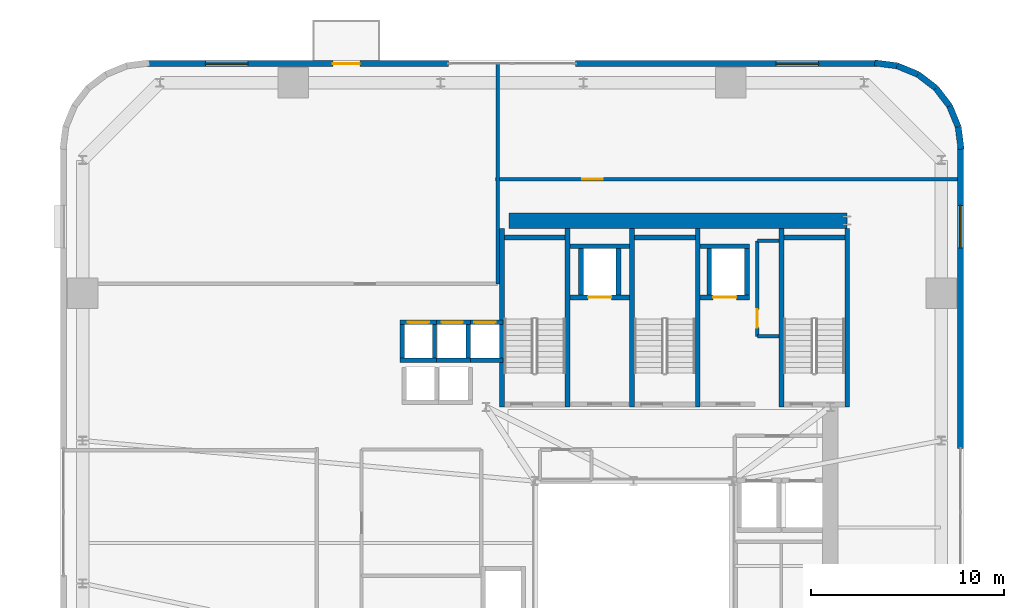
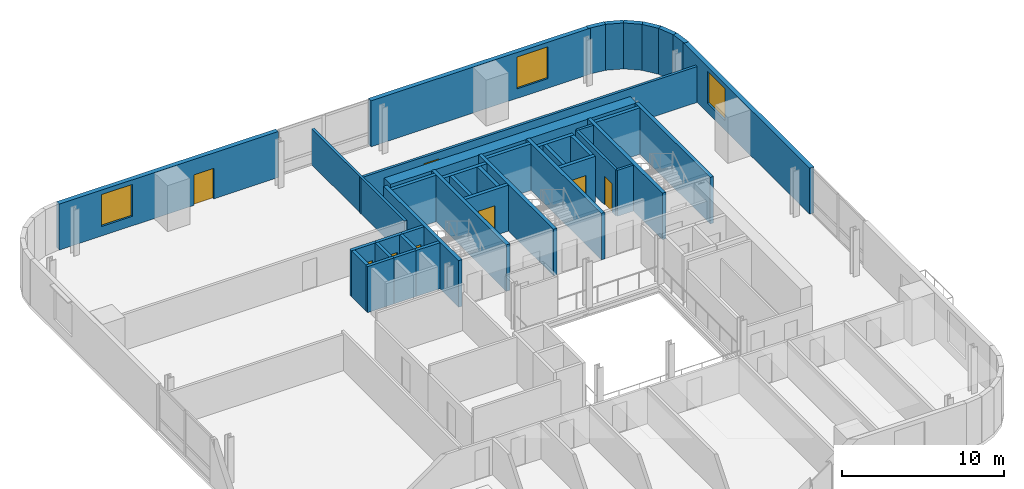
# One storey, part 8 of 14: 41 walls, 8 doors, 3 windows, 11 openings.
"""IFC4 building model written with IfcOpenShell, lengths in metres."""

from ifc_helpers import new_model, si_unit, direction, frame, frame_2d, origin, place, context, subcontext, project, spatial, rectangle, extrude, source, transform, mapped, material, layer, layer_set, type_object, element, fill, save


model = new_model("IFC4")

# Units and contexts
model_context = context("Model", 3, precision=1e-05, world=origin(), true_north=direction((0.0, 1.0)))
body_context = subcontext(model_context, "Body", "Model", "MODEL_VIEW")
ifc_project = project(units=[si_unit("LENGTHUNIT", "METRE"), si_unit("AREAUNIT", "SQUARE_METRE"), si_unit("VOLUMEUNIT", "CUBIC_METRE"), si_unit("PLANEANGLEUNIT", "RADIAN"), si_unit("MASSUNIT", "GRAM", prefix="KILO")], contexts=[model_context])

# Site, building, storey
site_placement = place(None, origin())
site = spatial("IfcSite", under=ifc_project, at=site_placement, CompositionType="ELEMENT")
building_placement = place(site_placement, origin())
building = spatial("IfcBuilding", under=site, at=building_placement, Name="Vardaveli Station Tower", CompositionType="ELEMENT")
storey_placement = place(building_placement, frame((0.0, 0.0, 122.39990234375)))
storey = spatial("IfcBuildingStorey", under=building, at=storey_placement, Name="L31", CompositionType="ELEMENT", Elevation=122.39990234375)

# Wall
ifc_material_1 = material(Name="Concrete C50/60", Category="concrete")
ifc_layer_1 = layer(ifc_material_1, 0.800048828125, Name="Concrete C50/60")
ifc_layer_set_1 = layer_set([ifc_layer_1], Name="Concrete C50/60")
wall_type_1 = type_object("IfcWallType", Name="WAL-CORE-800", PredefinedType="SHEAR", material=ifc_layer_set_1)
shared_shape_1 = source(origin(), body_context, "Body", "SweptSolid", [
    extrude(rectangle(XDim=17.52001953125, YDim=0.800048828125, at=frame_2d((8.760009765625, 0.0))), origin(), (0.0, 0.0, 1.0), 3.460205078125),
])
wall_1_placement = place(storey_placement, frame((29.85009765625, 40.300048828125, 0.0), z_axis=(0.0, 0.0, 1.0), x_axis=(1.0, 0.0, 0.0)))
element("IfcWall", 1, at=wall_1_placement, inside=storey, type_object=wall_type_1, Name="SW-L31-NORTH", PredefinedType="SHEAR", context=body_context, shape_type="MappedRepresentation", body=[
    mapped(shared_shape_1, transform((0.0, 0.0, 0.0), scale=1.0)),
])

# Wall, opening, window
ifc_material_2 = material(Name="Precast concrete C45/55", Category="concrete")
ifc_layer_2 = layer(ifc_material_2, 0.320068359375, Name="Precast concrete C45/55")
ifc_layer_set_2 = layer_set([ifc_layer_2], Name="Precast concrete C45/55")
wall_type_2 = type_object("IfcWallType", Name="WAL-EXT-STONE-320", PredefinedType="SOLIDWALL", material=ifc_layer_set_2)
shared_shape_2 = source(origin(), body_context, "Body", "SweptSolid", [
    extrude(rectangle(XDim=15.599853515625, YDim=0.320068359375, at=frame_2d((7.7998046875, 0.0))), origin(), (0.0, 0.0, 1.0), 3.460205078125),
])
wall_2_placement = place(storey_placement, frame((48.89990234375, 48.43994140625, 0.0), z_axis=(0.0, 0.0, 1.0), x_axis=(-1.0, 0.0, 0.0)))
wall_2 = element("IfcWall", 2, at=wall_2_placement, inside=storey, type_object=wall_type_2, Name="EW-L31-N1", PredefinedType="SOLIDWALL", context=body_context, shape_type="MappedRepresentation", body=[
    mapped(shared_shape_2, transform((0.0, 0.0, 0.0), scale=1.0)),
])
shared_shape_3 = source(origin(), body_context, "Body", "SweptSolid", [
    extrude(rectangle(XDim=2.199951171875, YDim=2.39990234375, at=frame_2d((1.10009765625, 1.199951171875))), frame((0.0, 0.169921875, 0.0), z_axis=(0.0, -1.0, 0.0), x_axis=(1.0, 0.0, 0.0)), (0.0, 0.0, 1.0), 0.340087890625),
])
opening_1_placement = place(wall_2_placement, frame((3.0048828125, 0.0, 0.719970703125)))
opening_1 = element("IfcOpeningElement", 3, at=opening_1_placement, cuts=wall_2, Name="Opening W-03", PredefinedType="OPENING", context=body_context, shape_type="MappedRepresentation", body=[
    mapped(shared_shape_3, transform((0.0, 0.0, 0.0), scale=1.0)),
])
ifc_material_3 = material(Name="Low-E solar-control glass", Category="glass")
window_type = type_object("IfcWindowType", Name="WIN-LOG-2200x2400", PartitioningType="SINGLE_PANEL", PredefinedType="WINDOW", material=ifc_material_3)
shared_shape_4 = source(origin(), body_context, "Body", "SweptSolid", [
    extrude(rectangle(XDim=2.199951171875, YDim=2.39990234375, at=frame_2d((1.10009765625, 1.199951171875))), frame((0.0, 0.030029296875, 0.0), z_axis=(0.0, -1.0, 0.0), x_axis=(1.0, 0.0, 0.0)), (0.0, 0.0, 1.0), 0.06005859375),
])
window_1_placement = place(opening_1_placement, origin())
window_1 = element("IfcWindow", 4, at=window_1_placement, inside=storey, type_object=window_type, Name="WN-L31-N1", OverallHeight=2.39990234375, OverallWidth=2.199951171875, PartitioningType="SINGLE_PANEL", PredefinedType="WINDOW", context=body_context, shape_type="MappedRepresentation", body=[
    mapped(shared_shape_4, transform((0.0, 0.0, 0.0), scale=1.0)),
])
fill(opening_1, window_1)

# Wall, openings, door, window
wall_3_placement = place(storey_placement, frame((26.699951171875, 48.43994140625, 0.0), z_axis=(0.0, 0.0, 1.0), x_axis=(-1.0, 0.0, 0.0)))
wall_3 = element("IfcWall", 5, at=wall_3_placement, inside=storey, type_object=wall_type_2, Name="EW-L31-N2", PredefinedType="SOLIDWALL", context=body_context, shape_type="MappedRepresentation", body=[
    mapped(shared_shape_2, transform((0.0, 0.0, 0.0), scale=1.0)),
])
shared_shape_5 = source(origin(), body_context, "Body", "SweptSolid", [
    extrude(rectangle(XDim=1.39990234375, YDim=2.300048828125, at=frame_2d((0.699951171875, 1.14990234375))), frame((0.0, 0.169921875, 0.0), z_axis=(0.0, -1.0, 0.0), x_axis=(1.0, 0.0, 0.0)), (0.0, 0.0, 1.0), 0.340087890625),
])
opening_2_placement = place(wall_3_placement, frame((4.589599609375, 0.0, 0.0)))
opening_2 = element("IfcOpeningElement", 6, at=opening_2_placement, cuts=wall_3, Name="Opening D-09", PredefinedType="OPENING", context=body_context, shape_type="MappedRepresentation", body=[
    mapped(shared_shape_5, transform((0.0, 0.0, 0.0), scale=1.0)),
])
opening_3_placement = place(wall_3_placement, frame((10.39501953125, 0.0, 0.719970703125)))
opening_3 = element("IfcOpeningElement", 7, at=opening_3_placement, cuts=wall_3, Name="Opening W-03", PredefinedType="OPENING", context=body_context, shape_type="MappedRepresentation", body=[
    mapped(shared_shape_3, transform((0.0, 0.0, 0.0), scale=1.0)),
])
ifc_material_4 = material(Name="Thermally broken aluminium glass", Category="aluminium")
door_type_1 = type_object("IfcDoorType", Name="DR-LOG-1400x2300", OperationType="DOUBLE_DOOR_SLIDING", PredefinedType="DOOR", material=ifc_material_4)
shared_shape_6 = source(origin(), body_context, "Body", "SweptSolid", [
    extrude(rectangle(XDim=1.39990234375, YDim=2.300048828125, at=frame_2d((0.699951171875, 1.14990234375))), frame((0.0, 0.02490234375, 0.0), z_axis=(0.0, -1.0, 0.0), x_axis=(1.0, 0.0, 0.0)), (0.0, 0.0, 1.0), 0.050048828125),
])
door_1_placement = place(opening_2_placement, frame((1.39990234375, 0.0, 0.0), z_axis=(0.0, 0.0, 1.0), x_axis=(-1.0, 0.0, 0.0)))
door_1 = element("IfcDoor", 8, at=door_1_placement, inside=storey, type_object=door_type_1, Name="DLG-L31-N", OperationType="DOUBLE_DOOR_SLIDING", OverallHeight=2.300048828125, OverallWidth=1.39990234375, PredefinedType="DOOR", context=body_context, shape_type="MappedRepresentation", body=[
    mapped(shared_shape_6, transform((0.0, 0.0, 0.0), scale=1.0)),
])
fill(opening_2, door_1)
window_2_placement = place(opening_3_placement, origin())
window_2 = element("IfcWindow", 9, at=window_2_placement, inside=storey, type_object=window_type, Name="WN-L31-N2", OverallHeight=2.39990234375, OverallWidth=2.199951171875, PartitioningType="SINGLE_PANEL", PredefinedType="WINDOW", context=body_context, shape_type="MappedRepresentation", body=[
    mapped(shared_shape_4, transform((0.0, 0.0, 0.0), scale=1.0)),
])
fill(opening_3, window_2)

# Wall, opening, window
shared_shape_7 = source(origin(), body_context, "Body", "SweptSolid", [
    extrude(rectangle(XDim=15.60009765625, YDim=0.320068359375, at=frame_2d((7.800048828125, 0.0))), origin(), (0.0, 0.0, 1.0), 3.460205078125),
])
wall_4_placement = place(storey_placement, frame((53.239990234375, 28.5, 0.0), z_axis=(0.0, 0.0, 1.0), x_axis=(0.0, 1.0, 0.0)))
wall_4 = element("IfcWall", 10, at=wall_4_placement, inside=storey, type_object=wall_type_2, Name="EW-L31-E2", PredefinedType="SOLIDWALL", context=body_context, shape_type="MappedRepresentation", body=[
    mapped(shared_shape_7, transform((0.0, 0.0, 0.0), scale=1.0)),
])
opening_4_placement = place(wall_4_placement, frame((10.39501953125, 0.0, 0.719970703125)))
opening_4 = element("IfcOpeningElement", 11, at=opening_4_placement, cuts=wall_4, Name="Opening W-03", PredefinedType="OPENING", context=body_context, shape_type="MappedRepresentation", body=[
    mapped(shared_shape_3, transform((0.0, 0.0, 0.0), scale=1.0)),
])
window_3_placement = place(opening_4_placement, origin())
window_3 = element("IfcWindow", 12, at=window_3_placement, inside=storey, type_object=window_type, Name="WN-L31-E2", OverallHeight=2.39990234375, OverallWidth=2.199951171875, PartitioningType="SINGLE_PANEL", PredefinedType="WINDOW", context=body_context, shape_type="MappedRepresentation", body=[
    mapped(shared_shape_4, transform((0.0, 0.0, 0.0), scale=1.0)),
])
fill(opening_4, window_3)

# Walls
shared_shape_8 = source(origin(), body_context, "Body", "SweptSolid", [
    extrude(rectangle(XDim=1.1689453125, YDim=0.320068359375, at=frame_2d((0.58447265625, 0.0))), origin(), (0.0, 0.0, 1.0), 3.460205078125),
])
wall_5_placement = place(storey_placement, frame((52.679931640625, 46.2412109375, 0.0), z_axis=(0.0, 0.0, 1.0), x_axis=(-0.608387696831, 0.793639975269, 0.0)))
element("IfcWall", 13, at=wall_5_placement, inside=storey, type_object=wall_type_2, Name="EW-L31-CR3-3", PredefinedType="SOLIDWALL", context=body_context, shape_type="MappedRepresentation", body=[
    mapped(shared_shape_8, transform((0.0, 0.0, 0.0), scale=1.0)),
])
shared_shape_9 = source(origin(), body_context, "Body", "SweptSolid", [
    extrude(rectangle(XDim=1.168701171875, YDim=0.320068359375, at=frame_2d((0.58447265625, 0.0))), origin(), (0.0, 0.0, 1.0), 3.460205078125),
])
wall_6_placement = place(storey_placement, frame((51.96875, 47.1689453125, 0.0), z_axis=(0.0, 0.0, 1.0), x_axis=(-0.793663520347, 0.608356981114, 0.0)))
element("IfcWall", 14, at=wall_6_placement, inside=storey, type_object=wall_type_2, Name="EW-L31-CR3-4", PredefinedType="SOLIDWALL", context=body_context, shape_type="MappedRepresentation", body=[
    mapped(shared_shape_9, transform((0.0, 0.0, 0.0), scale=1.0)),
])
shared_shape_10 = source(origin(), body_context, "Body", "SweptSolid", [
    extrude(rectangle(XDim=1.17041015625, YDim=0.320068359375, at=frame_2d((0.585205078125, 0.0))), origin(), (0.0, 0.0, 1.0), 3.460205078125),
])
for number, where, z_axis, x_axis, name in (
    (15, (53.275634765625, 43.99951171875, 0.0), (0.0, 0.0, 1.0), (-0.128295670475, 0.991735963317, 0.0), "EW-L31-CR3-1"),
    (16, (49.960205078125, 48.325439453125, 0.0), (0.0, 0.0, 1.0), (-0.991735963317, 0.128295670475, 0.0), "EW-L31-CR3-6"),
):
    element("IfcWall", number, at=place(storey_placement, frame(where, z_axis=z_axis, x_axis=x_axis)), inside=storey, type_object=wall_type_2, Name=name, PredefinedType="SOLIDWALL", context=body_context, shape_type="MappedRepresentation", body=[
        mapped(shared_shape_10, transform((0.0, 0.0, 0.0), scale=1.0)),
    ])
shared_shape_11 = source(origin(), body_context, "Body", "SweptSolid", [
    extrude(rectangle(XDim=1.169189453125, YDim=0.320068359375, at=frame_2d((0.58447265625, 0.0))), origin(), (0.0, 0.0, 1.0), 3.460205078125),
])
for number, where, z_axis, x_axis, name in (
    (17, (53.12548828125, 45.16015625, 0.0), (0.0, 0.0, 1.0), (-0.381054331552, 0.924552646638, 0.0), "EW-L31-CR3-2"),
    (18, (51.041259765625, 47.8798828125, 0.0), (0.0, 0.0, 1.0), (-0.924552646638, 0.381054331552, 0.0), "EW-L31-CR3-5"),
):
    element("IfcWall", number, at=place(storey_placement, frame(where, z_axis=z_axis, x_axis=x_axis)), inside=storey, type_object=wall_type_2, Name=name, PredefinedType="SOLIDWALL", context=body_context, shape_type="MappedRepresentation", body=[
        mapped(shared_shape_11, transform((0.0, 0.0, 0.0), scale=1.0)),
    ])
ifc_material_5 = material(Name="Concrete C40/50", Category="concrete")
ifc_layer_3 = layer(ifc_material_5, 0.25, Name="Concrete C40/50")
ifc_layer_set_3 = layer_set([ifc_layer_3], Name="Concrete C40/50")
wall_type_3 = type_object("IfcWallType", Name="WAL-SHAFT-250", PredefinedType="SOLIDWALL", material=ifc_layer_set_3)
shared_shape_12 = source(origin(), body_context, "Body", "SweptSolid", [
    extrude(rectangle(XDim=9.25, YDim=0.25, at=frame_2d((4.625, 0.0))), origin(), (0.0, 0.0, 1.0), 3.5),
])
for number, where, z_axis, x_axis, name in (
    (19, (29.47509765625, 30.64990234375, 0.0), (0.0, 0.0, 1.0), (0.0, 1.0, 0.0), "W-L31-ST-1W"),
    (20, (32.875, 30.64990234375, 0.0), (0.0, 0.0, 1.0), (0.0, 1.0, 0.0), "W-L31-ST-1E"),
    (21, (36.22509765625, 30.64990234375, 0.0), (0.0, 0.0, 1.0), (0.0, 1.0, 0.0), "W-L31-ST-2W"),
    (22, (39.625, 30.64990234375, 0.0), (0.0, 0.0, 1.0), (0.0, 1.0, 0.0), "W-L31-ST-2E"),
    (23, (43.97509765625, 30.64990234375, 0.0), (0.0, 0.0, 1.0), (0.0, 1.0, 0.0), "W-L31-ST-3W"),
    (24, (47.375, 30.64990234375, 0.0), (0.0, 0.0, 1.0), (0.0, 1.0, 0.0), "W-L31-ST-3E"),
):
    element("IfcWall", number, at=place(storey_placement, frame(where, z_axis=z_axis, x_axis=x_axis)), inside=storey, type_object=wall_type_3, Name=name, PredefinedType="SOLIDWALL", context=body_context, shape_type="MappedRepresentation", body=[
        mapped(shared_shape_12, transform((0.0, 0.0, 0.0), scale=1.0)),
    ])
shared_shape_13 = source(origin(), body_context, "Body", "SweptSolid", [
    extrude(rectangle(XDim=3.14990234375, YDim=0.25, at=frame_2d((1.574951171875, 0.0))), origin(), (0.0, 0.0, 1.0), 3.5),
])
for number, where, z_axis, x_axis, name in (
    (25, (29.60009765625, 39.425048828125, 0.0), (0.0, 0.0, 1.0), (1.0, 0.0, 0.0), "W-L31-ST-1N"),
    (26, (36.35009765625, 39.425048828125, 0.0), (0.0, 0.0, 1.0), (1.0, 0.0, 0.0), "W-L31-ST-2N"),
    (27, (44.10009765625, 39.425048828125, 0.0), (0.0, 0.0, 1.0), (1.0, 0.0, 0.0), "W-L31-ST-3N"),
):
    element("IfcWall", number, at=place(storey_placement, frame(where, z_axis=z_axis, x_axis=x_axis)), inside=storey, type_object=wall_type_3, Name=name, PredefinedType="SOLIDWALL", context=body_context, shape_type="MappedRepresentation", body=[
        mapped(shared_shape_13, transform((0.0, 0.0, 0.0), scale=1.0)),
    ])
ifc_layer_4 = layer(ifc_material_5, 0.219970703125, Name="Concrete C40/50")
ifc_layer_set_4 = layer_set([ifc_layer_4], Name="Concrete C40/50")
wall_type_4 = type_object("IfcWallType", Name="WAL-FFLOBBY-220", PredefinedType="SOLIDWALL", material=ifc_layer_set_4)
shared_shape_14 = source(origin(), body_context, "Body", "SweptSolid", [
    extrude(rectangle(XDim=1.889892578125, YDim=0.219970703125, at=frame_2d((0.94482421875, 0.0))), origin(), (0.0, 0.0, 1.0), 3.460205078125),
])
wall_7_placement = place(storey_placement, frame((24.205078125, 33.06494140625, 0.0), z_axis=(0.0, 0.0, 1.0), x_axis=(1.0, 0.0, 0.0)))
element("IfcWall", 28, at=wall_7_placement, inside=storey, type_object=wall_type_4, Name="SHW-HL2-01-L31-S", PredefinedType="SOLIDWALL", context=body_context, shape_type="MappedRepresentation", body=[
    mapped(shared_shape_14, transform((0.0, 0.0, 0.0), scale=1.0)),
])

# Wall, opening, door
wall_8_placement = place(storey_placement, frame((24.205078125, 35.034912109375, 0.0), z_axis=(0.0, 0.0, 1.0), x_axis=(1.0, 0.0, 0.0)))
wall_8 = element("IfcWall", 29, at=wall_8_placement, inside=storey, type_object=wall_type_4, Name="SHW-HL2-01-L31-N", PredefinedType="SOLIDWALL", context=body_context, shape_type="MappedRepresentation", body=[
    mapped(shared_shape_14, transform((0.0, 0.0, 0.0), scale=1.0)),
])
shared_shape_15 = source(origin(), body_context, "Body", "SweptSolid", [
    extrude(rectangle(XDim=1.10009765625, YDim=2.199951171875, at=frame_2d((0.550048828125, 1.10009765625))), frame((0.0, 0.1201171875, 0.0), z_axis=(0.0, -1.0, 0.0), x_axis=(1.0, 0.0, 0.0)), (0.0, 0.0, 1.0), 0.239990234375),
])
opening_5_placement = place(wall_8_placement, frame((0.39501953125, 0.0, 0.0)))
opening_5 = element("IfcOpeningElement", 30, at=opening_5_placement, cuts=wall_8, Name="Opening LD-01", PredefinedType="OPENING", context=body_context, shape_type="MappedRepresentation", body=[
    mapped(shared_shape_15, transform((0.0, 0.0, 0.0), scale=1.0)),
])
ifc_material_6 = material(Name="Brushed stainless steel", Category="steel")
door_type_2 = type_object("IfcDoorType", Name="DR-LD-1100x2200", OperationType="DOUBLE_DOOR_SLIDING", PredefinedType="DOOR", material=ifc_material_6)
shared_shape_16 = source(origin(), body_context, "Body", "SweptSolid", [
    extrude(rectangle(XDim=1.10009765625, YDim=2.199951171875, at=frame_2d((0.550048828125, 1.10009765625))), frame((0.0, 0.02490234375, 0.0), z_axis=(0.0, -1.0, 0.0), x_axis=(1.0, 0.0, 0.0)), (0.0, 0.0, 1.0), 0.050048828125),
])
door_2_placement = place(opening_5_placement, origin())
door_2 = element("IfcDoor", 31, at=door_2_placement, inside=storey, type_object=door_type_2, Name="LD-HL2-01-L31", OperationType="DOUBLE_DOOR_SLIDING", OverallHeight=2.199951171875, OverallWidth=1.10009765625, PredefinedType="DOOR", context=body_context, shape_type="MappedRepresentation", body=[
    mapped(shared_shape_16, transform((0.0, 0.0, 0.0), scale=1.0)),
])
fill(opening_5, door_2)

# Wall
wall_9_placement = place(storey_placement, frame((25.955078125, 33.06494140625, 0.0), z_axis=(0.0, 0.0, 1.0), x_axis=(1.0, 0.0, 0.0)))
element("IfcWall", 32, at=wall_9_placement, inside=storey, type_object=wall_type_4, Name="SHW-HL2-02-L31-S", PredefinedType="SOLIDWALL", context=body_context, shape_type="MappedRepresentation", body=[
    mapped(shared_shape_14, transform((0.0, 0.0, 0.0), scale=1.0)),
])

# Wall, opening, door
wall_10_placement = place(storey_placement, frame((25.955078125, 35.034912109375, 0.0), z_axis=(0.0, 0.0, 1.0), x_axis=(1.0, 0.0, 0.0)))
wall_10 = element("IfcWall", 33, at=wall_10_placement, inside=storey, type_object=wall_type_4, Name="SHW-HL2-02-L31-N", PredefinedType="SOLIDWALL", context=body_context, shape_type="MappedRepresentation", body=[
    mapped(shared_shape_14, transform((0.0, 0.0, 0.0), scale=1.0)),
])
opening_6_placement = place(wall_10_placement, frame((0.39501953125, 0.0, 0.0)))
opening_6 = element("IfcOpeningElement", 34, at=opening_6_placement, cuts=wall_10, Name="Opening LD-01", PredefinedType="OPENING", context=body_context, shape_type="MappedRepresentation", body=[
    mapped(shared_shape_15, transform((0.0, 0.0, 0.0), scale=1.0)),
])
door_3_placement = place(opening_6_placement, origin())
door_3 = element("IfcDoor", 35, at=door_3_placement, inside=storey, type_object=door_type_2, Name="LD-HL2-02-L31", OperationType="DOUBLE_DOOR_SLIDING", OverallHeight=2.199951171875, OverallWidth=1.10009765625, PredefinedType="DOOR", context=body_context, shape_type="MappedRepresentation", body=[
    mapped(shared_shape_16, transform((0.0, 0.0, 0.0), scale=1.0)),
])
fill(opening_6, door_3)

# Wall
wall_11_placement = place(storey_placement, frame((27.655029296875, 33.06494140625, 0.0), z_axis=(0.0, 0.0, 1.0), x_axis=(1.0, 0.0, 0.0)))
element("IfcWall", 36, at=wall_11_placement, inside=storey, type_object=wall_type_4, Name="SHW-HL2-03-L31-S", PredefinedType="SOLIDWALL", context=body_context, shape_type="MappedRepresentation", body=[
    mapped(shared_shape_14, transform((0.0, 0.0, 0.0), scale=1.0)),
])

# Wall, opening, door
wall_12_placement = place(storey_placement, frame((27.655029296875, 35.034912109375, 0.0), z_axis=(0.0, 0.0, 1.0), x_axis=(1.0, 0.0, 0.0)))
wall_12 = element("IfcWall", 37, at=wall_12_placement, inside=storey, type_object=wall_type_4, Name="SHW-HL2-03-L31-N", PredefinedType="SOLIDWALL", context=body_context, shape_type="MappedRepresentation", body=[
    mapped(shared_shape_14, transform((0.0, 0.0, 0.0), scale=1.0)),
])
opening_7_placement = place(wall_12_placement, frame((0.39501953125, 0.0, 0.0)))
opening_7 = element("IfcOpeningElement", 38, at=opening_7_placement, cuts=wall_12, Name="Opening LD-01", PredefinedType="OPENING", context=body_context, shape_type="MappedRepresentation", body=[
    mapped(shared_shape_15, transform((0.0, 0.0, 0.0), scale=1.0)),
])
door_4_placement = place(opening_7_placement, origin())
door_4 = element("IfcDoor", 39, at=door_4_placement, inside=storey, type_object=door_type_2, Name="LD-HL2-03-L31", OperationType="DOUBLE_DOOR_SLIDING", OverallHeight=2.199951171875, OverallWidth=1.10009765625, PredefinedType="DOOR", context=body_context, shape_type="MappedRepresentation", body=[
    mapped(shared_shape_16, transform((0.0, 0.0, 0.0), scale=1.0)),
])
fill(opening_7, door_4)

# Walls
shared_shape_17 = source(origin(), body_context, "Body", "SweptSolid", [
    extrude(rectangle(XDim=1.75, YDim=0.219970703125, at=frame_2d((0.875, 0.0))), origin(), (0.0, 0.0, 1.0), 3.460205078125),
])
for number, where, z_axis, x_axis, name in (
    (40, (24.31494140625, 33.175048828125, 0.0), (0.0, 0.0, 1.0), (0.0, 1.0, 0.0), "SHW-HL2-01-L31-W"),
    (41, (25.985107421875, 33.175048828125, 0.0), (0.0, 0.0, 1.0), (0.0, 1.0, 0.0), "SHW-HL2-01-L31-E"),
    (42, (27.735107421875, 33.175048828125, 0.0), (0.0, 0.0, 1.0), (0.0, 1.0, 0.0), "SHW-HL2-02-L31-E"),
):
    element("IfcWall", number, at=place(storey_placement, frame(where, z_axis=z_axis, x_axis=x_axis)), inside=storey, type_object=wall_type_4, Name=name, PredefinedType="SOLIDWALL", context=body_context, shape_type="MappedRepresentation", body=[
        mapped(shared_shape_17, transform((0.0, 0.0, 0.0), scale=1.0)),
    ])

# Wall, opening, door
shared_shape_18 = source(origin(), body_context, "Body", "SweptSolid", [
    extrude(rectangle(XDim=3.10009765625, YDim=0.25, at=frame_2d((1.550048828125, 0.0))), origin(), (0.0, 0.0, 1.0), 3.460205078125),
])
wall_13_placement = place(storey_placement, frame((33.0, 36.324951171875, 0.0), z_axis=(0.0, 0.0, 1.0), x_axis=(1.0, 0.0, 0.0)))
wall_13 = element("IfcWall", 43, at=wall_13_placement, inside=storey, type_object=wall_type_3, Name="SHW-FFL-01-L31-S", PredefinedType="SOLIDWALL", context=body_context, shape_type="MappedRepresentation", body=[
    mapped(shared_shape_18, transform((0.0, 0.0, 0.0), scale=1.0)),
])
shared_shape_19 = source(origin(), body_context, "Body", "SweptSolid", [
    extrude(rectangle(XDim=1.199951171875, YDim=2.25, at=frame_2d((0.60009765625, 1.125))), frame((0.0, 0.135009765625, 0.0), z_axis=(0.0, -1.0, 0.0), x_axis=(1.0, 0.0, 0.0)), (0.0, 0.0, 1.0), 0.27001953125),
])
opening_8_placement = place(wall_13_placement, frame((0.949951171875, 0.0, 0.0)))
opening_8 = element("IfcOpeningElement", 44, at=opening_8_placement, cuts=wall_13, Name="Opening LD-02", PredefinedType="OPENING", context=body_context, shape_type="MappedRepresentation", body=[
    mapped(shared_shape_19, transform((0.0, 0.0, 0.0), scale=1.0)),
])
door_type_3 = type_object("IfcDoorType", Name="DR-LD-1200x2250", OperationType="DOUBLE_DOOR_SLIDING", PredefinedType="DOOR", material=ifc_material_6)
shared_shape_20 = source(origin(), body_context, "Body", "SweptSolid", [
    extrude(rectangle(XDim=1.199951171875, YDim=2.25, at=frame_2d((0.60009765625, 1.125))), frame((0.0, 0.02490234375, 0.0), z_axis=(0.0, -1.0, 0.0), x_axis=(1.0, 0.0, 0.0)), (0.0, 0.0, 1.0), 0.050048828125),
])
door_5_placement = place(opening_8_placement, origin())
door_5 = element("IfcDoor", 45, at=door_5_placement, inside=storey, type_object=door_type_3, Name="LD-FFL-01-L31", OperationType="DOUBLE_DOOR_SLIDING", OverallHeight=2.25, OverallWidth=1.199951171875, PredefinedType="DOOR", context=body_context, shape_type="MappedRepresentation", body=[
    mapped(shared_shape_20, transform((0.0, 0.0, 0.0), scale=1.0)),
])
fill(opening_8, door_5)

# Walls
wall_14_placement = place(storey_placement, frame((33.0, 38.97509765625, 0.0), z_axis=(0.0, 0.0, 1.0), x_axis=(1.0, 0.0, 0.0)))
element("IfcWall", 46, at=wall_14_placement, inside=storey, type_object=wall_type_3, Name="SHW-FFL-01-L31-N", PredefinedType="SOLIDWALL", context=body_context, shape_type="MappedRepresentation", body=[
    mapped(shared_shape_18, transform((0.0, 0.0, 0.0), scale=1.0)),
])
shared_shape_21 = source(origin(), body_context, "Body", "SweptSolid", [
    extrude(rectangle(XDim=2.400146484375, YDim=0.25, at=frame_2d((1.2001953125, 0.0))), origin(), (0.0, 0.0, 1.0), 3.460205078125),
])
for number, where, z_axis, x_axis, name in (
    (47, (33.574951171875, 36.449951171875, 0.0), (0.0, 0.0, 1.0), (0.0, 1.0, 0.0), "SHW-FFL-01-L31-W"),
    (48, (35.52490234375, 36.449951171875, 0.0), (0.0, 0.0, 1.0), (0.0, 1.0, 0.0), "SHW-FFL-01-L31-E"),
    (49, (40.22509765625, 36.449951171875, 0.0), (0.0, 0.0, 1.0), (0.0, 1.0, 0.0), "SHW-FFL-02-L31-W"),
    (50, (42.175048828125, 36.449951171875, 0.0), (0.0, 0.0, 1.0), (0.0, 1.0, 0.0), "SHW-FFL-02-L31-E"),
):
    element("IfcWall", number, at=place(storey_placement, frame(where, z_axis=z_axis, x_axis=x_axis)), inside=storey, type_object=wall_type_3, Name=name, PredefinedType="SOLIDWALL", context=body_context, shape_type="MappedRepresentation", body=[
        mapped(shared_shape_21, transform((0.0, 0.0, 0.0), scale=1.0)),
    ])

# Wall, opening, door
shared_shape_22 = source(origin(), body_context, "Body", "SweptSolid", [
    extrude(rectangle(XDim=2.550048828125, YDim=0.25, at=frame_2d((1.27490234375, 0.0))), origin(), (0.0, 0.0, 1.0), 3.460205078125),
])
wall_15_placement = place(storey_placement, frame((39.75, 36.324951171875, 0.0), z_axis=(0.0, 0.0, 1.0), x_axis=(1.0, 0.0, 0.0)))
wall_15 = element("IfcWall", 51, at=wall_15_placement, inside=storey, type_object=wall_type_3, Name="SHW-FFL-02-L31-S", PredefinedType="SOLIDWALL", context=body_context, shape_type="MappedRepresentation", body=[
    mapped(shared_shape_22, transform((0.0, 0.0, 0.0), scale=1.0)),
])
opening_9_placement = place(wall_15_placement, frame((0.675048828125, 0.0, 0.0)))
opening_9 = element("IfcOpeningElement", 52, at=opening_9_placement, cuts=wall_15, Name="Opening LD-02", PredefinedType="OPENING", context=body_context, shape_type="MappedRepresentation", body=[
    mapped(shared_shape_19, transform((0.0, 0.0, 0.0), scale=1.0)),
])
door_6_placement = place(opening_9_placement, origin())
door_6 = element("IfcDoor", 53, at=door_6_placement, inside=storey, type_object=door_type_3, Name="LD-FFL-02-L31", OperationType="DOUBLE_DOOR_SLIDING", OverallHeight=2.25, OverallWidth=1.199951171875, PredefinedType="DOOR", context=body_context, shape_type="MappedRepresentation", body=[
    mapped(shared_shape_20, transform((0.0, 0.0, 0.0), scale=1.0)),
])
fill(opening_9, door_6)

# Wall
wall_16_placement = place(storey_placement, frame((39.75, 38.97509765625, 0.0), z_axis=(0.0, 0.0, 1.0), x_axis=(1.0, 0.0, 0.0)))
element("IfcWall", 54, at=wall_16_placement, inside=storey, type_object=wall_type_3, Name="SHW-FFL-02-L31-N", PredefinedType="SOLIDWALL", context=body_context, shape_type="MappedRepresentation", body=[
    mapped(shared_shape_22, transform((0.0, 0.0, 0.0), scale=1.0)),
])

# Wall, opening, door
ifc_material_7 = material(Name="Fire-rated gypsum stud partition")
ifc_layer_5 = layer(ifc_material_7, 0.179931640625, Name="Fire-rated gypsum stud partition")
ifc_layer_set_5 = layer_set([ifc_layer_5], Name="Fire-rated gypsum stud partition")
wall_type_5 = type_object("IfcWallType", Name="WAL-CORR-180", PredefinedType="PARTITIONING", material=ifc_layer_set_5)
shared_shape_23 = source(origin(), body_context, "Body", "SweptSolid", [
    extrude(rectangle(XDim=23.927978515625, YDim=0.179931640625, at=frame_2d((11.9638671875, 0.0))), origin(), (0.0, 0.0, 1.0), 2.7021484375),
])
wall_17_placement = place(storey_placement, frame((29.14990234375, 42.449951171875, 0.0), z_axis=(0.0, 0.0, 1.0), x_axis=(1.0, 0.0, 0.0)))
wall_17 = element("IfcWall", 55, at=wall_17_placement, inside=storey, type_object=wall_type_5, Name="W-L31-NPS", PredefinedType="PARTITIONING", context=body_context, shape_type="MappedRepresentation", body=[
    mapped(shared_shape_23, transform((0.0, 0.0, 0.0), scale=1.0)),
])
shared_shape_24 = source(origin(), body_context, "Body", "SweptSolid", [
    extrude(rectangle(XDim=1.050048828125, YDim=2.199951171875, at=frame_2d((0.52490234375, 1.10009765625))), frame((0.0, 0.10009765625, 0.0), z_axis=(0.0, -1.0, 0.0), x_axis=(1.0, 0.0, 0.0)), (0.0, 0.0, 1.0), 0.199951171875),
])
opening_10_placement = place(wall_17_placement, frame((4.5, 0.0, 0.0)))
opening_10 = element("IfcOpeningElement", 56, at=opening_10_placement, cuts=wall_17, Name="Opening D-05", PredefinedType="OPENING", context=body_context, shape_type="MappedRepresentation", body=[
    mapped(shared_shape_24, transform((0.0, 0.0, 0.0), scale=1.0)),
])
ifc_material_8 = material(Name="Walnut veneer acoustic fire door")
door_type_4 = type_object("IfcDoorType", Name="DR-SUITE-1050x2200", OperationType="NOTDEFINED", PredefinedType="DOOR", material=ifc_material_8)
shared_shape_25 = source(origin(), body_context, "Body", "SweptSolid", [
    extrude(rectangle(XDim=1.050048828125, YDim=2.199951171875, at=frame_2d((0.52490234375, 1.10009765625))), frame((0.0, 0.02490234375, 0.0), z_axis=(0.0, -1.0, 0.0), x_axis=(1.0, 0.0, 0.0)), (0.0, 0.0, 1.0), 0.050048828125),
])
door_7_placement = place(opening_10_placement, origin())
door_7 = element("IfcDoor", 57, at=door_7_placement, inside=storey, type_object=door_type_4, Name="D-L31-NP1", OperationType="SINGLE_SWING_LEFT", OverallHeight=2.199951171875, OverallWidth=1.050048828125, PredefinedType="DOOR", context=body_context, shape_type="MappedRepresentation", body=[
    mapped(shared_shape_25, transform((0.0, 0.0, 0.0), scale=1.0)),
])
fill(opening_10, door_7)

# Wall
shared_shape_26 = source(origin(), body_context, "Body", "SweptSolid", [
    extrude(rectangle(XDim=11.449951171875, YDim=0.179931640625, at=frame_2d((5.72509765625, 0.0))), origin(), (0.0, 0.0, 1.0), 2.7021484375),
])
wall_18_placement = place(storey_placement, frame((29.25, 37.02001953125, 0.0), z_axis=(0.0, 0.0, 1.0), x_axis=(0.0, 1.0, 0.0)))
element("IfcWall", 58, at=wall_18_placement, inside=storey, type_object=wall_type_5, Name="W-L31-CNWE", PredefinedType="PARTITIONING", context=body_context, shape_type="MappedRepresentation", body=[
    mapped(shared_shape_26, transform((0.0, 0.0, 0.0), scale=1.0)),
])

# Wall, opening, door
shared_shape_27 = source(origin(), body_context, "Body", "SweptSolid", [
    extrude(rectangle(XDim=4.949951171875, YDim=0.179931640625, at=frame_2d((2.47509765625, 0.0))), origin(), (0.0, 0.0, 1.0), 3.460205078125),
])
wall_19_placement = place(storey_placement, frame((42.719970703125, 34.300048828125, 0.0), z_axis=(0.0, 0.0, 1.0), x_axis=(0.0, 1.0, 0.0)))
wall_19 = element("IfcWall", 59, at=wall_19_placement, inside=storey, type_object=wall_type_5, Name="W-L31-CBS1-W", PredefinedType="PARTITIONING", context=body_context, shape_type="MappedRepresentation", body=[
    mapped(shared_shape_27, transform((0.0, 0.0, 0.0), scale=1.0)),
])
shared_shape_28 = source(origin(), body_context, "Body", "SweptSolid", [
    extrude(rectangle(XDim=0.949951171875, YDim=2.14990234375, at=frame_2d((0.47509765625, 1.074951171875))), frame((0.0, 0.10009765625, 0.0), z_axis=(0.0, -1.0, 0.0), x_axis=(1.0, 0.0, 0.0)), (0.0, 0.0, 1.0), 0.199951171875),
])
opening_11_placement = place(wall_19_placement, frame((0.449951171875, 0.0, 0.0)))
opening_11 = element("IfcOpeningElement", 60, at=opening_11_placement, cuts=wall_19, Name="Opening D-06", PredefinedType="OPENING", context=body_context, shape_type="MappedRepresentation", body=[
    mapped(shared_shape_28, transform((0.0, 0.0, 0.0), scale=1.0)),
])
ifc_material_9 = material(Name="Oak veneer acoustic fire door")
door_type_5 = type_object("IfcDoorType", Name="DR-GUEST-950x2150", OperationType="NOTDEFINED", PredefinedType="DOOR", material=ifc_material_9)
shared_shape_29 = source(origin(), body_context, "Body", "SweptSolid", [
    extrude(rectangle(XDim=0.949951171875, YDim=2.14990234375, at=frame_2d((0.47509765625, 1.074951171875))), frame((0.0, 0.02490234375, 0.0), z_axis=(0.0, -1.0, 0.0), x_axis=(1.0, 0.0, 0.0)), (0.0, 0.0, 1.0), 0.050048828125),
])
door_8_placement = place(opening_11_placement, origin())
door_8 = element("IfcDoor", 61, at=door_8_placement, inside=storey, type_object=door_type_5, Name="D-L31-HKP", OperationType="SINGLE_SWING_LEFT", OverallHeight=2.14990234375, OverallWidth=0.949951171875, PredefinedType="DOOR", context=body_context, shape_type="MappedRepresentation", body=[
    mapped(shared_shape_29, transform((0.0, 0.0, 0.0), scale=1.0)),
])
fill(opening_11, door_8)

# Walls
shared_shape_30 = source(origin(), body_context, "Body", "SweptSolid", [
    extrude(rectangle(XDim=1.1279296875, YDim=0.179931640625, at=frame_2d((0.56396484375, 0.0))), origin(), (0.0, 0.0, 1.0), 3.460205078125),
])
for number, where, z_axis, x_axis, name in (
    (62, (42.719970703125, 34.300048828125, 0.0), (0.0, 0.0, 1.0), (1.0, 0.0, 0.0), "W-L31-CBS1-S"),
    (63, (42.719970703125, 39.25, 0.0), (0.0, 0.0, 1.0), (1.0, 0.0, 0.0), "W-L31-CBS1-N"),
):
    element("IfcWall", number, at=place(storey_placement, frame(where, z_axis=z_axis, x_axis=x_axis)), inside=storey, type_object=wall_type_5, Name=name, PredefinedType="PARTITIONING", context=body_context, shape_type="MappedRepresentation", body=[
        mapped(shared_shape_30, transform((0.0, 0.0, 0.0), scale=1.0)),
    ])

save(model, "model.ifc")
